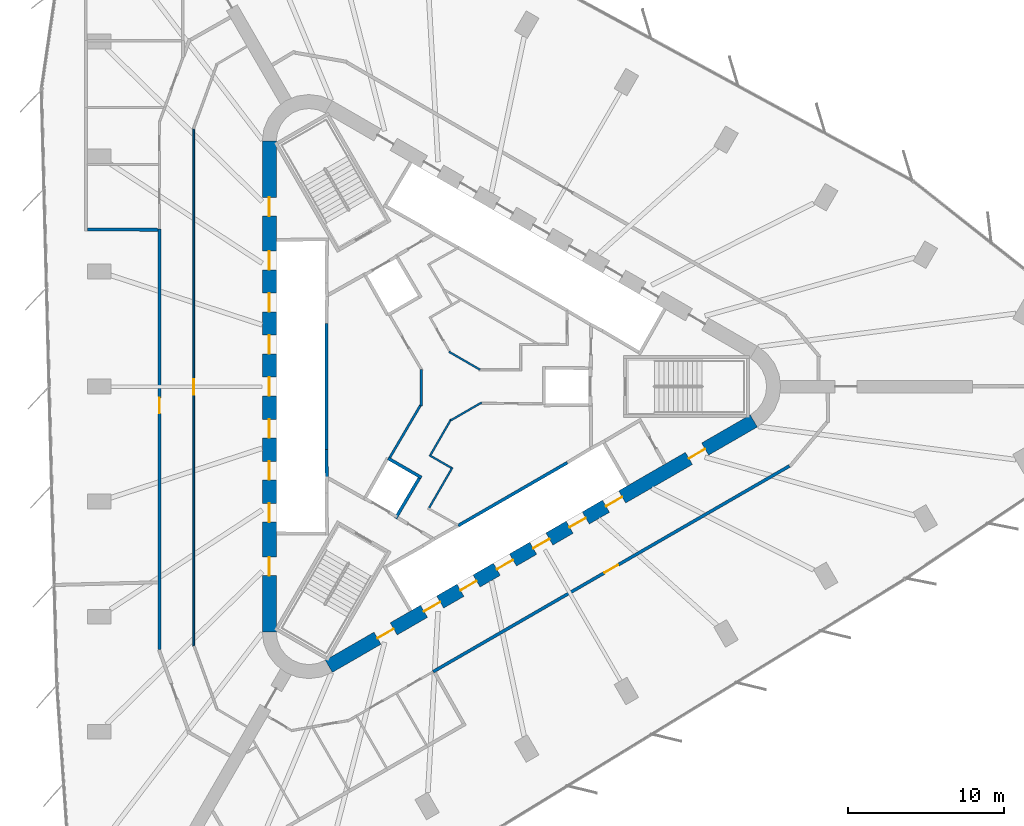
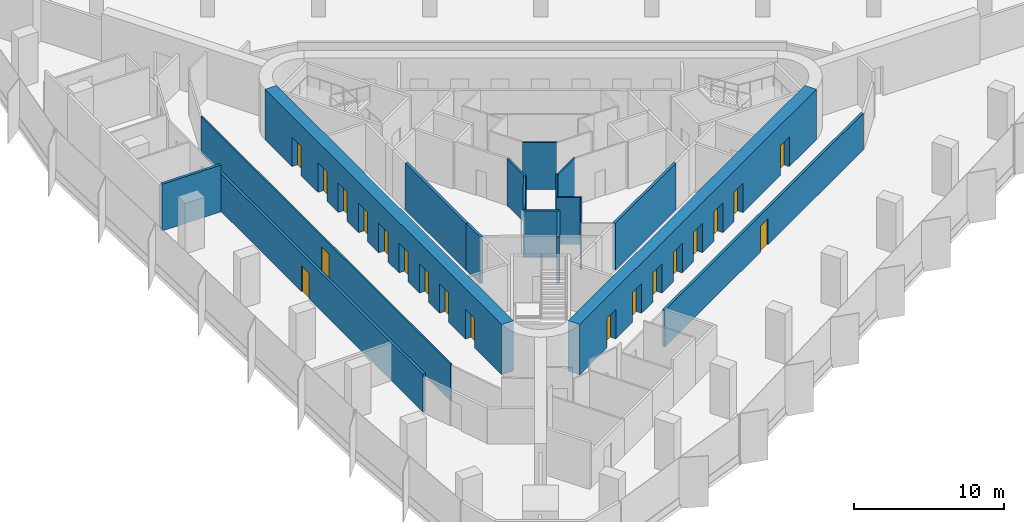
# One storey, part 9 of 14: 20 doors, 18 walls, 20 openings.
"""IFC4 building model written with IfcOpenShell, lengths in metres."""

from ifc_helpers import new_model, si_unit, direction, frame, frame_2d, origin, place, context, subcontext, project, spatial, rectangle, extrude, material, layer, layer_set, type_object, element, fill, save


model = new_model("IFC4")

# Units and contexts
model_context = context("Model", 3, precision=1e-05, world=origin(), true_north=direction((0.0, 1.0)))
body_context = subcontext(model_context, "Body", "Model", "MODEL_VIEW")
ifc_project = project(units=[si_unit("LENGTHUNIT", "METRE"), si_unit("AREAUNIT", "SQUARE_METRE"), si_unit("VOLUMEUNIT", "CUBIC_METRE"), si_unit("PLANEANGLEUNIT", "RADIAN"), si_unit("MASSUNIT", "GRAM", prefix="KILO")], contexts=[model_context])

# Site, building, storey
site_placement = place(None, origin())
site = spatial("IfcSite", under=ifc_project, at=site_placement, CompositionType="ELEMENT")
building_placement = place(site_placement, origin())
building = spatial("IfcBuilding", under=site, at=building_placement, Name="Tanit Gate Tower", CompositionType="ELEMENT")
storey_placement = place(building_placement, frame((0.0, 0.0, 148.0)))
storey = spatial("IfcBuildingStorey", under=building, at=storey_placement, Name="L32", CompositionType="ELEMENT", Elevation=148.0)

# Wall, openings, doors
ifc_material_1 = material(Name="Concrete C60/75", Category="concrete")
ifc_layer_1 = layer(ifc_material_1, 0.89990234375)
ifc_layer_set_1 = layer_set([ifc_layer_1], Name="CORE WALL 900 C60/75")
wall_type_1 = type_object("IfcWallType", Name="CORE WALL 900 C60/75", PredefinedType="SHEAR", material=ifc_layer_set_1)
wall_1_placement = place(storey_placement, frame((-11.64990234375, 15.76171875, 0.0), z_axis=(0.0, 0.0, 1.0), x_axis=(0.0, -1.0, 0.0)))
wall_1 = element("IfcWall", 1, at=wall_1_placement, inside=storey, type_object=wall_type_1, Name="CORE WALL", PredefinedType="SHEAR", context=body_context, shape_type="SweptSolid", body=[
    extrude(rectangle(XDim=31.5234375, YDim=0.89990234375, at=frame_2d((15.76171875, 0.0))), origin(), (0.0, 0.0, 1.0), 4.10009765625),
])
opening_1_placement = place(wall_1_placement, frame((7.061767578125, 0.0, 0.0)))
opening_1 = element("IfcOpeningElement", 2, at=opening_1_placement, cuts=wall_1, Name="Opening LDLL1-S08", PredefinedType="OPENING", context=body_context, shape_type="SweptSolid", body=[
    extrude(rectangle(XDim=1.199951171875, YDim=2.39990234375, at=frame_2d((0.60009765625, 1.199951171875))), frame((0.0, 0.4599609375, 0.0), z_axis=(0.0, -1.0, 0.0), x_axis=(1.0, 0.0, 0.0)), (0.0, 0.0, 1.0), 0.919921875),
])
opening_2_placement = place(wall_1_placement, frame((9.76171875, 0.0, 0.0)))
opening_2 = element("IfcOpeningElement", 3, at=opening_2_placement, cuts=wall_1, Name="Opening LDLL2-S08", PredefinedType="OPENING", context=body_context, shape_type="SweptSolid", body=[
    extrude(rectangle(XDim=1.199951171875, YDim=2.39990234375, at=frame_2d((0.60009765625, 1.199951171875))), frame((0.0, 0.4599609375, 0.0), z_axis=(0.0, -1.0, 0.0), x_axis=(1.0, 0.0, 0.0)), (0.0, 0.0, 1.0), 0.919921875),
])
opening_3_placement = place(wall_1_placement, frame((12.461669921875, 0.0, 0.0)))
opening_3 = element("IfcOpeningElement", 4, at=opening_3_placement, cuts=wall_1, Name="Opening LDLL3-S08", PredefinedType="OPENING", context=body_context, shape_type="SweptSolid", body=[
    extrude(rectangle(XDim=1.199951171875, YDim=2.39990234375, at=frame_2d((0.60009765625, 1.199951171875))), frame((0.0, 0.4599609375, 0.0), z_axis=(0.0, -1.0, 0.0), x_axis=(1.0, 0.0, 0.0)), (0.0, 0.0, 1.0), 0.919921875),
])
opening_4_placement = place(wall_1_placement, frame((15.16162109375, 0.0, 0.0)))
opening_4 = element("IfcOpeningElement", 5, at=opening_4_placement, cuts=wall_1, Name="Opening LDLL4-S08", PredefinedType="OPENING", context=body_context, shape_type="SweptSolid", body=[
    extrude(rectangle(XDim=1.199951171875, YDim=2.39990234375, at=frame_2d((0.60009765625, 1.199951171875))), frame((0.0, 0.4599609375, 0.0), z_axis=(0.0, -1.0, 0.0), x_axis=(1.0, 0.0, 0.0)), (0.0, 0.0, 1.0), 0.919921875),
])
opening_5_placement = place(wall_1_placement, frame((17.86181640625, 0.0, 0.0)))
opening_5 = element("IfcOpeningElement", 6, at=opening_5_placement, cuts=wall_1, Name="Opening LDLL5-S08", PredefinedType="OPENING", context=body_context, shape_type="SweptSolid", body=[
    extrude(rectangle(XDim=1.199951171875, YDim=2.39990234375, at=frame_2d((0.60009765625, 1.199951171875))), frame((0.0, 0.4599609375, 0.0), z_axis=(0.0, -1.0, 0.0), x_axis=(1.0, 0.0, 0.0)), (0.0, 0.0, 1.0), 0.919921875),
])
opening_6_placement = place(wall_1_placement, frame((20.561767578125, 0.0, 0.0)))
opening_6 = element("IfcOpeningElement", 7, at=opening_6_placement, cuts=wall_1, Name="Opening LDLL6-S08", PredefinedType="OPENING", context=body_context, shape_type="SweptSolid", body=[
    extrude(rectangle(XDim=1.199951171875, YDim=2.39990234375, at=frame_2d((0.60009765625, 1.199951171875))), frame((0.0, 0.4599609375, 0.0), z_axis=(0.0, -1.0, 0.0), x_axis=(1.0, 0.0, 0.0)), (0.0, 0.0, 1.0), 0.919921875),
])
opening_7_placement = place(wall_1_placement, frame((23.26171875, 0.0, 0.0)))
opening_7 = element("IfcOpeningElement", 8, at=opening_7_placement, cuts=wall_1, Name="Opening LDLL7-S08", PredefinedType="OPENING", context=body_context, shape_type="SweptSolid", body=[
    extrude(rectangle(XDim=1.199951171875, YDim=2.39990234375, at=frame_2d((0.60009765625, 1.199951171875))), frame((0.0, 0.4599609375, 0.0), z_axis=(0.0, -1.0, 0.0), x_axis=(1.0, 0.0, 0.0)), (0.0, 0.0, 1.0), 0.919921875),
])
opening_8_placement = place(wall_1_placement, frame((3.61181640625, 0.0, 0.0)))
opening_8 = element("IfcOpeningElement", 9, at=opening_8_placement, cuts=wall_1, Name="Opening F12-S08-FL2", PredefinedType="OPENING", context=body_context, shape_type="SweptSolid", body=[
    extrude(rectangle(XDim=1.199951171875, YDim=2.39990234375, at=frame_2d((0.60009765625, 1.199951171875))), frame((0.0, 0.4599609375, 0.0), z_axis=(0.0, -1.0, 0.0), x_axis=(1.0, 0.0, 0.0)), (0.0, 0.0, 1.0), 0.919921875),
])
opening_9_placement = place(wall_1_placement, frame((26.711669921875, 0.0, 0.0)))
opening_9 = element("IfcOpeningElement", 10, at=opening_9_placement, cuts=wall_1, Name="Opening F12-S08-S3", PredefinedType="OPENING", context=body_context, shape_type="SweptSolid", body=[
    extrude(rectangle(XDim=1.199951171875, YDim=2.39990234375, at=frame_2d((0.60009765625, 1.199951171875))), frame((0.0, 0.4599609375, 0.0), z_axis=(0.0, -1.0, 0.0), x_axis=(1.0, 0.0, 0.0)), (0.0, 0.0, 1.0), 0.919921875),
])
ifc_material_2 = material(Name="Fire-rated steel door leaf", Category="steel")
door_type_1 = type_object("IfcDoorType", Name="INT-DOOR-FIRE-LOBBY-1200", OperationType="NOTDEFINED", PredefinedType="USERDEFINED", material=ifc_material_2)
door_1_placement = place(opening_8_placement, origin())
door_1 = element("IfcDoor", 11, at=door_1_placement, inside=storey, type_object=door_type_1, Name="Door F12-S08-FL2", ObjectType="FIRE DOOR", OperationType="SINGLE_SWING_LEFT", OverallHeight=2.39990234375, OverallWidth=1.199951171875, PredefinedType="USERDEFINED", context=body_context, shape_type="SweptSolid", body=[
    extrude(rectangle(XDim=1.199951171875, YDim=2.39990234375, at=frame_2d((0.60009765625, 1.199951171875))), frame((0.0, 0.02490234375, 0.0), z_axis=(0.0, -1.0, 0.0), x_axis=(1.0, 0.0, 0.0)), (0.0, 0.0, 1.0), 0.050048828125),
])
fill(opening_8, door_1)
door_2_placement = place(opening_9_placement, origin())
door_2 = element("IfcDoor", 12, at=door_2_placement, inside=storey, type_object=door_type_1, Name="Door F12-S08-S3", ObjectType="FIRE DOOR", OperationType="SINGLE_SWING_LEFT", OverallHeight=2.39990234375, OverallWidth=1.199951171875, PredefinedType="USERDEFINED", context=body_context, shape_type="SweptSolid", body=[
    extrude(rectangle(XDim=1.199951171875, YDim=2.39990234375, at=frame_2d((0.60009765625, 1.199951171875))), frame((0.0, 0.02490234375, 0.0), z_axis=(0.0, -1.0, 0.0), x_axis=(1.0, 0.0, 0.0)), (0.0, 0.0, 1.0), 0.050048828125),
])
fill(opening_9, door_2)
ifc_material_3 = material(Name="Stainless steel sliding door leaf", Category="steel")
door_type_2 = type_object("IfcDoorType", Name="INT-DOOR-LANDING-1200", OperationType="NOTDEFINED", PredefinedType="USERDEFINED", material=ifc_material_3)
door_3_placement = place(opening_1_placement, origin())
door_3 = element("IfcDoor", 13, at=door_3_placement, inside=storey, type_object=door_type_2, Name="Door LDLL1-S08", ObjectType="LANDING DOOR", OperationType="SLIDING_TO_LEFT", OverallHeight=2.39990234375, OverallWidth=1.199951171875, PredefinedType="USERDEFINED", context=body_context, shape_type="SweptSolid", body=[
    extrude(rectangle(XDim=1.199951171875, YDim=2.39990234375, at=frame_2d((0.60009765625, 1.199951171875))), frame((0.0, 0.02490234375, 0.0), z_axis=(0.0, -1.0, 0.0), x_axis=(1.0, 0.0, 0.0)), (0.0, 0.0, 1.0), 0.050048828125),
])
fill(opening_1, door_3)
door_4_placement = place(opening_2_placement, origin())
door_4 = element("IfcDoor", 14, at=door_4_placement, inside=storey, type_object=door_type_2, Name="Door LDLL2-S08", ObjectType="LANDING DOOR", OperationType="SLIDING_TO_LEFT", OverallHeight=2.39990234375, OverallWidth=1.199951171875, PredefinedType="USERDEFINED", context=body_context, shape_type="SweptSolid", body=[
    extrude(rectangle(XDim=1.199951171875, YDim=2.39990234375, at=frame_2d((0.60009765625, 1.199951171875))), frame((0.0, 0.02490234375, 0.0), z_axis=(0.0, -1.0, 0.0), x_axis=(1.0, 0.0, 0.0)), (0.0, 0.0, 1.0), 0.050048828125),
])
fill(opening_2, door_4)
door_5_placement = place(opening_3_placement, origin())
door_5 = element("IfcDoor", 15, at=door_5_placement, inside=storey, type_object=door_type_2, Name="Door LDLL3-S08", ObjectType="LANDING DOOR", OperationType="SLIDING_TO_LEFT", OverallHeight=2.39990234375, OverallWidth=1.199951171875, PredefinedType="USERDEFINED", context=body_context, shape_type="SweptSolid", body=[
    extrude(rectangle(XDim=1.199951171875, YDim=2.39990234375, at=frame_2d((0.60009765625, 1.199951171875))), frame((0.0, 0.02490234375, 0.0), z_axis=(0.0, -1.0, 0.0), x_axis=(1.0, 0.0, 0.0)), (0.0, 0.0, 1.0), 0.050048828125),
])
fill(opening_3, door_5)
door_6_placement = place(opening_4_placement, origin())
door_6 = element("IfcDoor", 16, at=door_6_placement, inside=storey, type_object=door_type_2, Name="Door LDLL4-S08", ObjectType="LANDING DOOR", OperationType="SLIDING_TO_LEFT", OverallHeight=2.39990234375, OverallWidth=1.199951171875, PredefinedType="USERDEFINED", context=body_context, shape_type="SweptSolid", body=[
    extrude(rectangle(XDim=1.199951171875, YDim=2.39990234375, at=frame_2d((0.60009765625, 1.199951171875))), frame((0.0, 0.02490234375, 0.0), z_axis=(0.0, -1.0, 0.0), x_axis=(1.0, 0.0, 0.0)), (0.0, 0.0, 1.0), 0.050048828125),
])
fill(opening_4, door_6)
door_7_placement = place(opening_5_placement, origin())
door_7 = element("IfcDoor", 17, at=door_7_placement, inside=storey, type_object=door_type_2, Name="Door LDLL5-S08", ObjectType="LANDING DOOR", OperationType="SLIDING_TO_LEFT", OverallHeight=2.39990234375, OverallWidth=1.199951171875, PredefinedType="USERDEFINED", context=body_context, shape_type="SweptSolid", body=[
    extrude(rectangle(XDim=1.199951171875, YDim=2.39990234375, at=frame_2d((0.60009765625, 1.199951171875))), frame((0.0, 0.02490234375, 0.0), z_axis=(0.0, -1.0, 0.0), x_axis=(1.0, 0.0, 0.0)), (0.0, 0.0, 1.0), 0.050048828125),
])
fill(opening_5, door_7)
door_8_placement = place(opening_6_placement, origin())
door_8 = element("IfcDoor", 18, at=door_8_placement, inside=storey, type_object=door_type_2, Name="Door LDLL6-S08", ObjectType="LANDING DOOR", OperationType="SLIDING_TO_LEFT", OverallHeight=2.39990234375, OverallWidth=1.199951171875, PredefinedType="USERDEFINED", context=body_context, shape_type="SweptSolid", body=[
    extrude(rectangle(XDim=1.199951171875, YDim=2.39990234375, at=frame_2d((0.60009765625, 1.199951171875))), frame((0.0, 0.02490234375, 0.0), z_axis=(0.0, -1.0, 0.0), x_axis=(1.0, 0.0, 0.0)), (0.0, 0.0, 1.0), 0.050048828125),
])
fill(opening_6, door_8)
door_9_placement = place(opening_7_placement, origin())
door_9 = element("IfcDoor", 19, at=door_9_placement, inside=storey, type_object=door_type_2, Name="Door LDLL7-S08", ObjectType="LANDING DOOR", OperationType="SLIDING_TO_LEFT", OverallHeight=2.39990234375, OverallWidth=1.199951171875, PredefinedType="USERDEFINED", context=body_context, shape_type="SweptSolid", body=[
    extrude(rectangle(XDim=1.199951171875, YDim=2.39990234375, at=frame_2d((0.60009765625, 1.199951171875))), frame((0.0, 0.02490234375, 0.0), z_axis=(0.0, -1.0, 0.0), x_axis=(1.0, 0.0, 0.0)), (0.0, 0.0, 1.0), 0.050048828125),
])
fill(opening_7, door_9)

wall_2_placement = place(storey_placement, frame((-7.824951171875, -17.969970703125, 0.0), z_axis=(0.0, 0.0, 1.0), x_axis=(0.866028369851, 0.499994862586, 0.0)))
wall_2 = element("IfcWall", 20, at=wall_2_placement, inside=storey, type_object=wall_type_1, Name="CORE WALL", PredefinedType="SHEAR", context=body_context, shape_type="SweptSolid", body=[
    extrude(rectangle(XDim=31.523193359375, YDim=0.89990234375, at=frame_2d((15.76171875, 0.0))), origin(), (0.0, 0.0, 1.0), 4.10009765625),
])
opening_10_placement = place(wall_2_placement, frame((7.061767578125, 0.0, 0.0)))
opening_10 = element("IfcOpeningElement", 21, at=opening_10_placement, cuts=wall_2, Name="Opening LDSX1-S08", PredefinedType="OPENING", context=body_context, shape_type="SweptSolid", body=[
    extrude(rectangle(XDim=1.199951171875, YDim=2.39990234375, at=frame_2d((0.60009765625, 1.199951171875))), frame((0.0, 0.4599609375, 0.0), z_axis=(0.0, -1.0, 0.0), x_axis=(1.0, 0.0, 0.0)), (0.0, 0.0, 1.0), 0.919921875),
])
opening_11_placement = place(wall_2_placement, frame((9.76171875, 0.0, 0.0)))
opening_11 = element("IfcOpeningElement", 22, at=opening_11_placement, cuts=wall_2, Name="Opening LDSX2-S08", PredefinedType="OPENING", context=body_context, shape_type="SweptSolid", body=[
    extrude(rectangle(XDim=1.199951171875, YDim=2.39990234375, at=frame_2d((0.60009765625, 1.199951171875))), frame((0.0, 0.4599609375, 0.0), z_axis=(0.0, -1.0, 0.0), x_axis=(1.0, 0.0, 0.0)), (0.0, 0.0, 1.0), 0.919921875),
])
opening_12_placement = place(wall_2_placement, frame((12.461669921875, 0.0, 0.0)))
opening_12 = element("IfcOpeningElement", 23, at=opening_12_placement, cuts=wall_2, Name="Opening LDSX3-S08", PredefinedType="OPENING", context=body_context, shape_type="SweptSolid", body=[
    extrude(rectangle(XDim=1.199951171875, YDim=2.39990234375, at=frame_2d((0.60009765625, 1.199951171875))), frame((0.0, 0.4599609375, 0.0), z_axis=(0.0, -1.0, 0.0), x_axis=(1.0, 0.0, 0.0)), (0.0, 0.0, 1.0), 0.919921875),
])
opening_13_placement = place(wall_2_placement, frame((15.16162109375, 0.0, 0.0)))
opening_13 = element("IfcOpeningElement", 24, at=opening_13_placement, cuts=wall_2, Name="Opening LDSX4-S08", PredefinedType="OPENING", context=body_context, shape_type="SweptSolid", body=[
    extrude(rectangle(XDim=1.199951171875, YDim=2.39990234375, at=frame_2d((0.60009765625, 1.199951171875))), frame((0.0, 0.4599609375, 0.0), z_axis=(0.0, -1.0, 0.0), x_axis=(1.0, 0.0, 0.0)), (0.0, 0.0, 1.0), 0.919921875),
])
opening_14_placement = place(wall_2_placement, frame((17.861572265625, 0.0, 0.0)))
opening_14 = element("IfcOpeningElement", 25, at=opening_14_placement, cuts=wall_2, Name="Opening LDSV1-S08", PredefinedType="OPENING", context=body_context, shape_type="SweptSolid", body=[
    extrude(rectangle(XDim=1.199951171875, YDim=2.39990234375, at=frame_2d((0.60009765625, 1.199951171875))), frame((0.0, 0.4599609375, 0.0), z_axis=(0.0, -1.0, 0.0), x_axis=(1.0, 0.0, 0.0)), (0.0, 0.0, 1.0), 0.919921875),
])
opening_15_placement = place(wall_2_placement, frame((20.561767578125, 0.0, 0.0)))
opening_15 = element("IfcOpeningElement", 26, at=opening_15_placement, cuts=wall_2, Name="Opening LDSV2-S08", PredefinedType="OPENING", context=body_context, shape_type="SweptSolid", body=[
    extrude(rectangle(XDim=1.199951171875, YDim=2.39990234375, at=frame_2d((0.60009765625, 1.199951171875))), frame((0.0, 0.4599609375, 0.0), z_axis=(0.0, -1.0, 0.0), x_axis=(1.0, 0.0, 0.0)), (0.0, 0.0, 1.0), 0.919921875),
])
opening_16_placement = place(wall_2_placement, frame((26.711669921875, 0.0, 0.0)))
opening_16 = element("IfcOpeningElement", 27, at=opening_16_placement, cuts=wall_2, Name="Opening F12-S08-S1", PredefinedType="OPENING", context=body_context, shape_type="SweptSolid", body=[
    extrude(rectangle(XDim=1.199951171875, YDim=2.39990234375, at=frame_2d((0.60009765625, 1.199951171875))), frame((0.0, 0.4599609375, 0.0), z_axis=(0.0, -1.0, 0.0), x_axis=(1.0, 0.0, 0.0)), (0.0, 0.0, 1.0), 0.919921875),
])
opening_17_placement = place(wall_2_placement, frame((3.611572265625, 0.0, 0.0)))
opening_17 = element("IfcOpeningElement", 28, at=opening_17_placement, cuts=wall_2, Name="Opening F12-S08-FL3", PredefinedType="OPENING", context=body_context, shape_type="SweptSolid", body=[
    extrude(rectangle(XDim=1.199951171875, YDim=2.39990234375, at=frame_2d((0.60009765625, 1.199951171875))), frame((0.0, 0.4599609375, 0.0), z_axis=(0.0, -1.0, 0.0), x_axis=(1.0, 0.0, 0.0)), (0.0, 0.0, 1.0), 0.919921875),
])
door_10_placement = place(opening_16_placement, origin())
door_10 = element("IfcDoor", 29, at=door_10_placement, inside=storey, type_object=door_type_1, Name="Door F12-S08-S1", ObjectType="FIRE DOOR", OperationType="SINGLE_SWING_RIGHT", OverallHeight=2.39990234375, OverallWidth=1.199951171875, PredefinedType="USERDEFINED", context=body_context, shape_type="SweptSolid", body=[
    extrude(rectangle(XDim=1.199951171875, YDim=2.39990234375, at=frame_2d((0.60009765625, 1.199951171875))), frame((0.0, 0.02490234375, 0.0), z_axis=(0.0, -1.0, 0.0), x_axis=(1.0, 0.0, 0.0)), (0.0, 0.0, 1.0), 0.050048828125),
])
fill(opening_16, door_10)
door_11_placement = place(opening_17_placement, origin())
door_11 = element("IfcDoor", 30, at=door_11_placement, inside=storey, type_object=door_type_1, Name="Door F12-S08-FL3", ObjectType="FIRE DOOR", OperationType="SINGLE_SWING_LEFT", OverallHeight=2.39990234375, OverallWidth=1.199951171875, PredefinedType="USERDEFINED", context=body_context, shape_type="SweptSolid", body=[
    extrude(rectangle(XDim=1.199951171875, YDim=2.39990234375, at=frame_2d((0.60009765625, 1.199951171875))), frame((0.0, 0.02490234375, 0.0), z_axis=(0.0, -1.0, 0.0), x_axis=(1.0, 0.0, 0.0)), (0.0, 0.0, 1.0), 0.050048828125),
])
fill(opening_17, door_11)
door_12_placement = place(opening_10_placement, origin())
door_12 = element("IfcDoor", 31, at=door_12_placement, inside=storey, type_object=door_type_2, Name="Door LDSX1-S08", ObjectType="LANDING DOOR", OperationType="SLIDING_TO_LEFT", OverallHeight=2.39990234375, OverallWidth=1.199951171875, PredefinedType="USERDEFINED", context=body_context, shape_type="SweptSolid", body=[
    extrude(rectangle(XDim=1.199951171875, YDim=2.39990234375, at=frame_2d((0.60009765625, 1.199951171875))), frame((0.0, 0.02490234375, 0.0), z_axis=(0.0, -1.0, 0.0), x_axis=(1.0, 0.0, 0.0)), (0.0, 0.0, 1.0), 0.050048828125),
])
fill(opening_10, door_12)
door_13_placement = place(opening_11_placement, origin())
door_13 = element("IfcDoor", 32, at=door_13_placement, inside=storey, type_object=door_type_2, Name="Door LDSX2-S08", ObjectType="LANDING DOOR", OperationType="SLIDING_TO_LEFT", OverallHeight=2.39990234375, OverallWidth=1.199951171875, PredefinedType="USERDEFINED", context=body_context, shape_type="SweptSolid", body=[
    extrude(rectangle(XDim=1.199951171875, YDim=2.39990234375, at=frame_2d((0.60009765625, 1.199951171875))), frame((0.0, 0.02490234375, 0.0), z_axis=(0.0, -1.0, 0.0), x_axis=(1.0, 0.0, 0.0)), (0.0, 0.0, 1.0), 0.050048828125),
])
fill(opening_11, door_13)
door_14_placement = place(opening_12_placement, origin())
door_14 = element("IfcDoor", 33, at=door_14_placement, inside=storey, type_object=door_type_2, Name="Door LDSX3-S08", ObjectType="LANDING DOOR", OperationType="SLIDING_TO_LEFT", OverallHeight=2.39990234375, OverallWidth=1.199951171875, PredefinedType="USERDEFINED", context=body_context, shape_type="SweptSolid", body=[
    extrude(rectangle(XDim=1.199951171875, YDim=2.39990234375, at=frame_2d((0.60009765625, 1.199951171875))), frame((0.0, 0.02490234375, 0.0), z_axis=(0.0, -1.0, 0.0), x_axis=(1.0, 0.0, 0.0)), (0.0, 0.0, 1.0), 0.050048828125),
])
fill(opening_12, door_14)
door_15_placement = place(opening_13_placement, origin())
door_15 = element("IfcDoor", 34, at=door_15_placement, inside=storey, type_object=door_type_2, Name="Door LDSX4-S08", ObjectType="LANDING DOOR", OperationType="SLIDING_TO_LEFT", OverallHeight=2.39990234375, OverallWidth=1.199951171875, PredefinedType="USERDEFINED", context=body_context, shape_type="SweptSolid", body=[
    extrude(rectangle(XDim=1.199951171875, YDim=2.39990234375, at=frame_2d((0.60009765625, 1.199951171875))), frame((0.0, 0.02490234375, 0.0), z_axis=(0.0, -1.0, 0.0), x_axis=(1.0, 0.0, 0.0)), (0.0, 0.0, 1.0), 0.050048828125),
])
fill(opening_13, door_15)
door_16_placement = place(opening_14_placement, origin())
door_16 = element("IfcDoor", 35, at=door_16_placement, inside=storey, type_object=door_type_2, Name="Door LDSV1-S08", ObjectType="LANDING DOOR", OperationType="SLIDING_TO_LEFT", OverallHeight=2.39990234375, OverallWidth=1.199951171875, PredefinedType="USERDEFINED", context=body_context, shape_type="SweptSolid", body=[
    extrude(rectangle(XDim=1.199951171875, YDim=2.39990234375, at=frame_2d((0.60009765625, 1.199951171875))), frame((0.0, 0.02490234375, 0.0), z_axis=(0.0, -1.0, 0.0), x_axis=(1.0, 0.0, 0.0)), (0.0, 0.0, 1.0), 0.050048828125),
])
fill(opening_14, door_16)
door_17_placement = place(opening_15_placement, origin())
door_17 = element("IfcDoor", 36, at=door_17_placement, inside=storey, type_object=door_type_2, Name="Door LDSV2-S08", ObjectType="LANDING DOOR", OperationType="SLIDING_TO_LEFT", OverallHeight=2.39990234375, OverallWidth=1.199951171875, PredefinedType="USERDEFINED", context=body_context, shape_type="SweptSolid", body=[
    extrude(rectangle(XDim=1.199951171875, YDim=2.39990234375, at=frame_2d((0.60009765625, 1.199951171875))), frame((0.0, 0.02490234375, 0.0), z_axis=(0.0, -1.0, 0.0), x_axis=(1.0, 0.0, 0.0)), (0.0, 0.0, 1.0), 0.050048828125),
])
fill(opening_15, door_17)

# Wall, opening, door
ifc_material_4 = material(Name="Fire-rated gypsum board partition")
ifc_layer_2 = layer(ifc_material_4, 0.199951171875)
ifc_layer_set_2 = layer_set([ifc_layer_2], Name="INT-WALL-COMPARTMENT")
wall_type_2 = type_object("IfcWallType", Name="INT-WALL-COMPARTMENT", PredefinedType="PARTITIONING", material=ifc_layer_set_2)
wall_3_placement = place(storey_placement, frame((-18.699951171875, 10.1298828125, 0.0), z_axis=(0.0, 0.0, 1.0), x_axis=(0.0, -1.0, 0.0)))
wall_3 = element("IfcWall", 37, at=wall_3_placement, inside=storey, type_object=wall_type_2, Name="Wall Compartment W094", PredefinedType="PARTITIONING", context=body_context, shape_type="SweptSolid", body=[
    extrude(rectangle(XDim=27.03466796875, YDim=0.199951171875, at=frame_2d((13.517333984375, 0.0))), origin(), (0.0, 0.0, 1.0), 3.080078125),
])
opening_18_placement = place(wall_3_placement, frame((10.850341796875, 0.0, 0.0)))
opening_18 = element("IfcOpeningElement", 38, at=opening_18_placement, cuts=wall_3, Name="Opening F10-S08-26", PredefinedType="OPENING", context=body_context, shape_type="SweptSolid", body=[
    extrude(rectangle(XDim=1.0, YDim=2.10009765625, at=frame_2d((0.5, 1.050048828125))), frame((0.0, 0.10986328125, 0.0), z_axis=(0.0, -1.0, 0.0), x_axis=(1.0, 0.0, 0.0)), (0.0, 0.0, 1.0), 0.219970703125),
])
ifc_material_5 = material(Name="Fire-rated steel door leaf", Category="steel")
door_type_3 = type_object("IfcDoorType", Name="INT-DOOR-FIRE-1000", OperationType="NOTDEFINED", PredefinedType="USERDEFINED", material=ifc_material_5)
door_18_placement = place(opening_18_placement, origin())
door_18 = element("IfcDoor", 39, at=door_18_placement, inside=storey, type_object=door_type_3, Name="Door F10-S08-26", ObjectType="FIRE DOOR", OperationType="SINGLE_SWING_RIGHT", OverallHeight=2.10009765625, OverallWidth=1.0, PredefinedType="USERDEFINED", context=body_context, shape_type="SweptSolid", body=[
    extrude(rectangle(XDim=1.0, YDim=2.10009765625, at=frame_2d((0.5, 1.050048828125))), frame((0.0, 0.02490234375, 0.0), z_axis=(0.0, -1.0, 0.0), x_axis=(1.0, 0.0, 0.0)), (0.0, 0.0, 1.0), 0.050048828125),
])
fill(opening_18, door_18)

wall_4_placement = place(storey_placement, frame((-1.122802734375, -18.315185546875, 0.0), z_axis=(0.0, 0.0, 1.0), x_axis=(0.866026561282, 0.49999799515, 0.0)))
wall_4 = element("IfcWall", 40, at=wall_4_placement, inside=storey, type_object=wall_type_2, Name="Wall Compartment W108", PredefinedType="PARTITIONING", context=body_context, shape_type="SweptSolid", body=[
    extrude(rectangle(XDim=26.43505859375, YDim=0.199951171875, at=frame_2d((13.217529296875, 0.0))), origin(), (0.0, 0.0, 1.0), 2.97998046875),
])
opening_19_placement = place(wall_4_placement, frame((12.717529296875, 0.0, 0.0)))
opening_19 = element("IfcOpeningElement", 41, at=opening_19_placement, cuts=wall_4, Name="Opening F10-S08-28", PredefinedType="OPENING", context=body_context, shape_type="SweptSolid", body=[
    extrude(rectangle(XDim=1.0, YDim=2.10009765625, at=frame_2d((0.5, 1.050048828125))), frame((0.0, 0.10986328125, 0.0), z_axis=(0.0, -1.0, 0.0), x_axis=(1.0, 0.0, 0.0)), (0.0, 0.0, 1.0), 0.219970703125),
])
door_19_placement = place(opening_19_placement, origin())
door_19 = element("IfcDoor", 42, at=door_19_placement, inside=storey, type_object=door_type_3, Name="Door F10-S08-28", ObjectType="FIRE DOOR", OperationType="SINGLE_SWING_RIGHT", OverallHeight=2.10009765625, OverallWidth=1.0, PredefinedType="USERDEFINED", context=body_context, shape_type="SweptSolid", body=[
    extrude(rectangle(XDim=1.0, YDim=2.10009765625, at=frame_2d((0.5, 1.050048828125))), frame((0.0, 0.02490234375, 0.0), z_axis=(0.0, -1.0, 0.0), x_axis=(1.0, 0.0, 0.0)), (0.0, 0.0, 1.0), 0.050048828125),
])
fill(opening_19, door_19)

# Walls
wall_5_placement = place(storey_placement, frame((-23.330078125, 10.099365234375, 0.0), z_axis=(0.0, 0.0, 1.0), x_axis=(0.999979779172, -0.006359343247, 0.0)))
element("IfcWall", 43, at=wall_5_placement, inside=storey, type_object=wall_type_2, Name="Wall Compartment W121", PredefinedType="PARTITIONING", context=body_context, shape_type="SweptSolid", body=[
    extrude(rectangle(XDim=4.530029296875, YDim=0.199951171875, at=frame_2d((2.26513671875, 0.0))), origin(), (0.0, 0.0, 1.0), 3.800048828125),
])
ifc_material_6 = material(Name="Gypsum board partition")
ifc_layer_3 = layer(ifc_material_6, 0.1201171875)
ifc_layer_set_3 = layer_set([ifc_layer_3], Name="INT-WALL-PARTITION")
wall_type_3 = type_object("IfcWallType", Name="INT-WALL-PARTITION", PredefinedType="PARTITIONING", material=ifc_layer_set_3)
wall_6_placement = place(storey_placement, frame((0.1181640625, -5.195068359375, 0.0), z_axis=(0.0, 0.0, 1.0), x_axis=(-0.499990139034, -0.866031096941, 0.0)))
element("IfcWall", 44, at=wall_6_placement, inside=storey, type_object=wall_type_3, Name="Wall Partition W069", PredefinedType="PARTITIONING", context=body_context, shape_type="SweptSolid", body=[
    extrude(rectangle(XDim=3.0, YDim=0.1201171875, at=frame_2d((1.5, 0.0))), origin(), (0.0, 0.0, 1.0), 3.800048828125),
])
wall_7_placement = place(storey_placement, frame((-1.37109375, -4.404541015625, 0.0), z_axis=(0.0, 0.0, 1.0), x_axis=(0.866053003207, -0.499952193351, 0.0)))
element("IfcWall", 45, at=wall_7_placement, inside=storey, type_object=wall_type_3, Name="Wall Partition W070", PredefinedType="PARTITIONING", context=body_context, shape_type="SweptSolid", body=[
    extrude(rectangle(XDim=1.625244140625, YDim=0.1201171875, at=frame_2d((0.8125, 0.0))), origin(), (0.0, 0.0, 1.0), 3.800048828125),
])
wall_8_placement = place(storey_placement, frame((0.0302734375, -2.097412109375, 0.0), z_axis=(0.0, 0.0, 1.0), x_axis=(-0.500000102728, -0.866025344474, 0.0)))
element("IfcWall", 46, at=wall_8_placement, inside=storey, type_object=wall_type_3, Name="Wall Partition W071", PredefinedType="PARTITIONING", context=body_context, shape_type="SweptSolid", body=[
    extrude(rectangle(XDim=2.638671875, YDim=0.1201171875, at=frame_2d((1.3193359375, 0.0))), origin(), (0.0, 0.0, 1.0), 3.800048828125),
])
wall_9_placement = place(storey_placement, frame((1.993896484375, -1.02392578125, 0.0), z_axis=(0.0, 0.0, 1.0), x_axis=(-0.866048237946, -0.499960447986, 0.0)))
element("IfcWall", 47, at=wall_9_placement, inside=storey, type_object=wall_type_3, Name="Wall Partition W072", PredefinedType="PARTITIONING", context=body_context, shape_type="SweptSolid", body=[
    extrude(rectangle(XDim=2.308837890625, YDim=0.1201171875, at=frame_2d((1.154296875, 0.0))), origin(), (0.0, 0.0, 1.0), 3.800048828125),
])
wall_10_placement = place(storey_placement, frame((-0.111572265625, 2.239501953125, 0.0), z_axis=(0.0, 0.0, 1.0), x_axis=(0.865997282035, -0.500048705136, 0.0)))
element("IfcWall", 48, at=wall_10_placement, inside=storey, type_object=wall_type_3, Name="Wall Partition W082", PredefinedType="PARTITIONING", context=body_context, shape_type="SweptSolid", body=[
    extrude(rectangle(XDim=2.310302734375, YDim=0.1201171875, at=frame_2d((1.1552734375, 0.0))), origin(), (0.0, 0.0, 1.0), 3.800048828125),
])

# Wall, opening, door
wall_11_placement = place(storey_placement, frame((-16.5, 16.556884765625, 0.0), z_axis=(0.0, 0.0, 1.0), x_axis=(0.0, -1.0, 0.0)))
wall_11 = element("IfcWall", 49, at=wall_11_placement, inside=storey, type_object=wall_type_3, Name="Wall Partition W088", PredefinedType="PARTITIONING", context=body_context, shape_type="SweptSolid", body=[
    extrude(rectangle(XDim=33.233642578125, YDim=0.1201171875, at=frame_2d((16.61669921875, 0.0))), origin(), (0.0, 0.0, 1.0), 2.97998046875),
])
opening_20_placement = place(wall_11_placement, frame((16.0869140625, 0.0, 0.0)))
opening_20 = element("IfcOpeningElement", 50, at=opening_20_placement, cuts=wall_11, Name="Opening D10-S08-15", PredefinedType="OPENING", context=body_context, shape_type="SweptSolid", body=[
    extrude(rectangle(XDim=1.0, YDim=2.10009765625, at=frame_2d((0.5, 1.050048828125))), frame((0.0, 0.070068359375, 0.0), z_axis=(0.0, -1.0, 0.0), x_axis=(1.0, 0.0, 0.0)), (0.0, 0.0, 1.0), 0.14013671875),
])
ifc_material_7 = material(Name="Timber door leaf", Category="wood")
door_type_4 = type_object("IfcDoorType", Name="INT-DOOR-SINGLE-1000", OperationType="NOTDEFINED", PredefinedType="NOTDEFINED", material=ifc_material_7)
door_20_placement = place(opening_20_placement, origin())
door_20 = element("IfcDoor", 51, at=door_20_placement, inside=storey, type_object=door_type_4, Name="Door D10-S08-15", OperationType="SINGLE_SWING_RIGHT", OverallHeight=2.10009765625, OverallWidth=1.0, PredefinedType="NOTDEFINED", context=body_context, shape_type="SweptSolid", body=[
    extrude(rectangle(XDim=1.0, YDim=2.10009765625, at=frame_2d((0.5, 1.050048828125))), frame((0.0, 0.02490234375, 0.0), z_axis=(0.0, -1.0, 0.0), x_axis=(1.0, 0.0, 0.0)), (0.0, 0.0, 1.0), 0.050048828125),
])
fill(opening_20, door_20)

# Walls
ifc_material_8 = material(Name="Fire-rated gypsum board partition")
ifc_layer_4 = layer(ifc_material_8, 0.14990234375)
ifc_layer_set_4 = layer_set([ifc_layer_4], Name="INT-WALL-RISER")
wall_type_4 = type_object("IfcWallType", Name="INT-WALL-RISER", PredefinedType="PLUMBINGWALL", material=ifc_layer_set_4)
wall_12_placement = place(storey_placement, frame((-1.883544921875, -1.240234375, 0.0), z_axis=(0.0, 0.0, 1.0), x_axis=(0.0, 1.0, 0.0)))
element("IfcWall", 52, at=wall_12_placement, inside=storey, type_object=wall_type_4, Name="Wall Riser W066", PredefinedType="PLUMBINGWALL", context=body_context, shape_type="SweptSolid", body=[
    extrude(rectangle(XDim=2.3291015625, YDim=0.14990234375, at=frame_2d((1.16455078125, 0.0))), origin(), (0.0, 0.0, 1.0), 3.800048828125),
])
wall_13_placement = place(storey_placement, frame((-3.906005859375, -4.5576171875, 0.0), z_axis=(0.0, 0.0, 1.0), x_axis=(0.506254243073, 0.862384277089, 0.0)))
element("IfcWall", 53, at=wall_13_placement, inside=storey, type_object=wall_type_4, Name="Wall Riser W067", PredefinedType="PLUMBINGWALL", context=body_context, shape_type="SweptSolid", body=[
    extrude(rectangle(XDim=3.971435546875, YDim=0.14990234375, at=frame_2d((1.98583984375, 0.0))), origin(), (0.0, 0.0, 1.0), 3.800048828125),
])
ifc_material_9 = material(Name="Gypsum shaft wall system")
ifc_layer_5 = layer(ifc_material_9, 0.199951171875)
ifc_layer_set_5 = layer_set([ifc_layer_5], Name="INT-WALL-SHAFT")
wall_type_5 = type_object("IfcWallType", Name="INT-WALL-SHAFT", PredefinedType="PLUMBINGWALL", material=ifc_layer_set_5)
wall_14_placement = place(storey_placement, frame((-7.97998046875, 4.050048828125, 0.0), z_axis=(0.0, 0.0, 1.0), x_axis=(0.0, -1.0, 0.0)))
element("IfcWall", 54, at=wall_14_placement, inside=storey, type_object=wall_type_5, Name="Wall Shaft W006", PredefinedType="PLUMBINGWALL", context=body_context, shape_type="SweptSolid", body=[
    extrude(rectangle(XDim=8.10009765625, YDim=0.199951171875, at=frame_2d((4.050048828125, 0.0))), origin(), (0.0, 0.0, 1.0), 3.800048828125),
])
wall_15_placement = place(storey_placement, frame((-7.97998046875, -4.050048828125, 0.0), z_axis=(0.0, 0.0, 1.0), x_axis=(0.016809909365, -0.999858703491, 0.0)))
element("IfcWall", 55, at=wall_15_placement, inside=storey, type_object=wall_type_5, Name="Wall Shaft W010", PredefinedType="PLUMBINGWALL", context=body_context, shape_type="SweptSolid", body=[
    extrude(rectangle(XDim=1.844482421875, YDim=0.199951171875, at=frame_2d((0.92236328125, 0.0))), origin(), (0.0, 0.0, 1.0), 3.800048828125),
])
wall_16_placement = place(storey_placement, frame((0.482666015625, -8.935791015625, 0.0), z_axis=(0.0, 0.0, 1.0), x_axis=(0.866030989016, 0.499990325971, 0.0)))
element("IfcWall", 56, at=wall_16_placement, inside=storey, type_object=wall_type_5, Name="Wall Shaft W031", PredefinedType="PLUMBINGWALL", context=body_context, shape_type="SweptSolid", body=[
    extrude(rectangle(XDim=8.099853515625, YDim=0.199951171875, at=frame_2d((4.0498046875, 0.0))), origin(), (0.0, 0.0, 1.0), 3.800048828125),
])
wall_17_placement = place(storey_placement, frame((-4.021484375, -4.6064453125, 0.0), z_axis=(0.0, 0.0, 1.0), x_axis=(0.866016689309, -0.500015093611, 0.0)))
element("IfcWall", 57, at=wall_17_placement, inside=storey, type_object=wall_type_5, Name="Wall Shaft W055", PredefinedType="PLUMBINGWALL", context=body_context, shape_type="SweptSolid", body=[
    extrude(rectangle(XDim=2.4794921875, YDim=0.199951171875, at=frame_2d((1.23974609375, 0.0))), origin(), (0.0, 0.0, 1.0), 3.800048828125),
])
wall_18_placement = place(storey_placement, frame((-2.01171875, -5.88232421875, 0.0), z_axis=(0.0, 0.0, 1.0), x_axis=(-0.508619639323, -0.860991325447, 0.0)))
element("IfcWall", 58, at=wall_18_placement, inside=storey, type_object=wall_type_5, Name="Wall Shaft W056", PredefinedType="PLUMBINGWALL", context=body_context, shape_type="SweptSolid", body=[
    extrude(rectangle(XDim=3.0, YDim=0.199951171875, at=frame_2d((1.5, 0.0))), origin(), (0.0, 0.0, 1.0), 3.800048828125),
])

save(model, "model.ifc")
